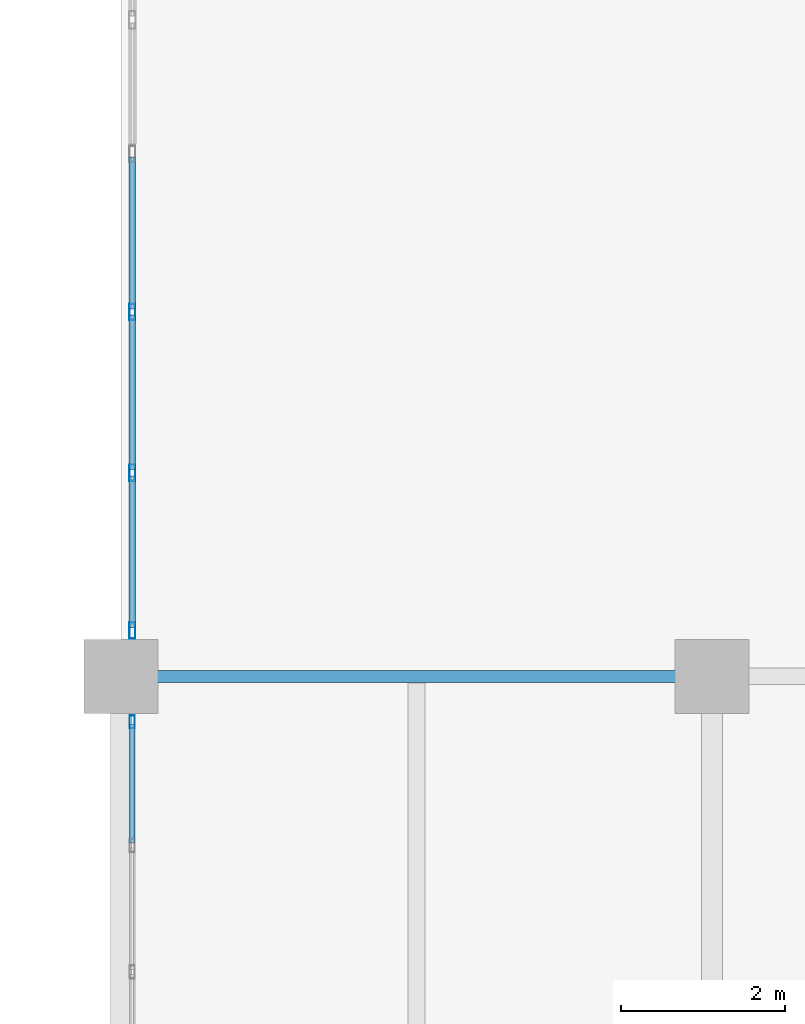
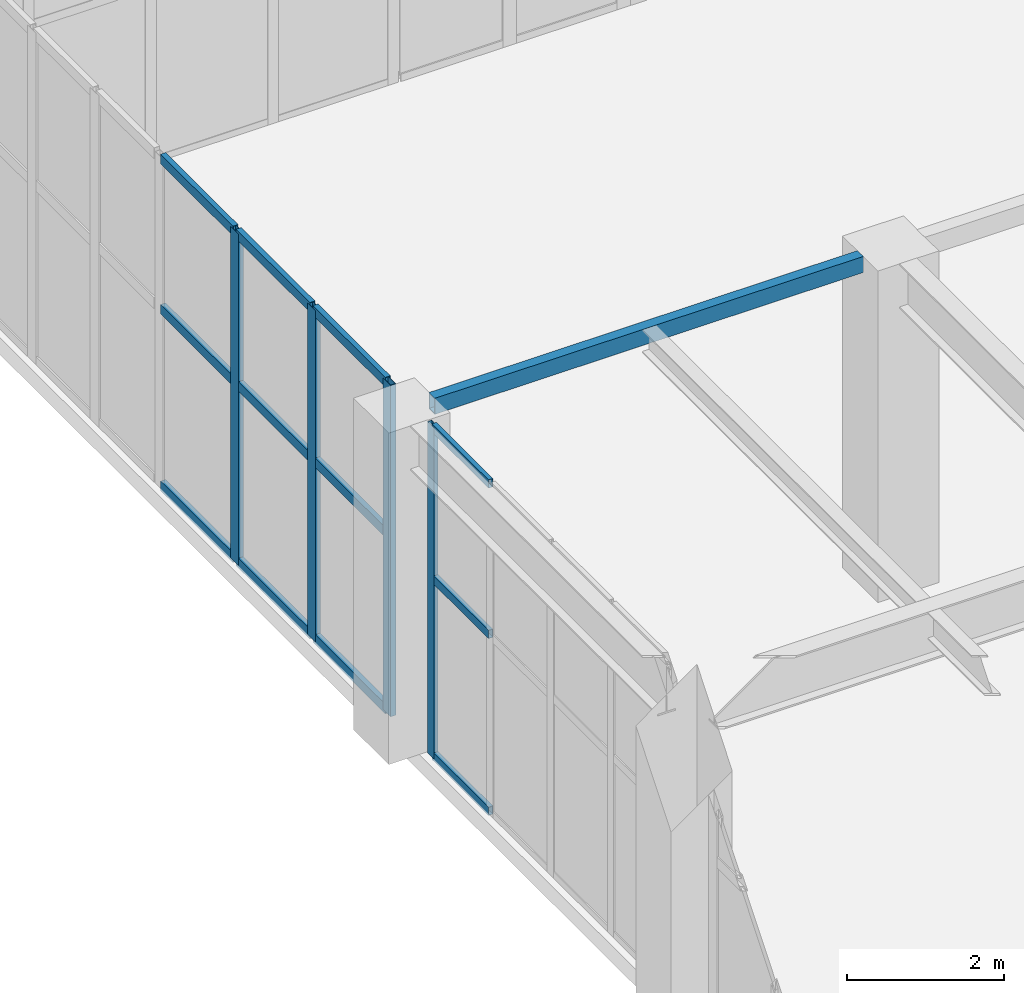
# One storey, part 60 of 139: 16 members, 1 beam, 2 elements without a shape of their own.
"""IFC4 building model written with IfcOpenShell, lengths in metres."""

from ifc_helpers import new_model, si_unit, direction, frame, origin, origin_2d, place, context, subcontext, project, spatial, hollow_rectangle, extrude, material, layer, layer_set, material_profile, profile_set, type_object, element, aggregate, save


model = new_model("IFC4")

# Units and contexts
model_context = context("Model", 3, precision=1e-05, world=origin(), true_north=direction((0.0, 1.0)))
body_context = subcontext(model_context, "Body", "Model", "MODEL_VIEW")
ifc_project = project(units=[si_unit("LENGTHUNIT", "METRE"), si_unit("AREAUNIT", "SQUARE_METRE"), si_unit("VOLUMEUNIT", "CUBIC_METRE"), si_unit("PLANEANGLEUNIT", "RADIAN"), si_unit("MASSUNIT", "GRAM", prefix="KILO")], contexts=[model_context])

# Site, building, storey
site_placement = place(None, origin())
site = spatial("IfcSite", under=ifc_project, at=site_placement, CompositionType="ELEMENT")
building_placement = place(site_placement, origin())
building = spatial("IfcBuilding", under=site, at=building_placement, Name="Xicomal Pleat Aquarium", CompositionType="ELEMENT")
storey_placement = place(building_placement, origin())
storey = spatial("IfcBuildingStorey", under=building, at=storey_placement, Name="L01", CompositionType="ELEMENT", Elevation=0.0)

# Beam
ifc_material_1 = material(Name="Structural steel A500 Gr C", Category="steel")
ifc_material_profile_1 = material_profile(ifc_material_1, hollow_rectangle(XDim=0.14990234375, YDim=0.25, WallThickness=0.010009765625, at=origin_2d()), Name="OR 250x150x10")
ifc_profile_set_1 = profile_set([ifc_material_profile_1], Name="Structural steel A500 Gr C")
beam_type = type_object("IfcBeamType", Name="BM-STL-OR250", PredefinedType="SPANDREL", material=ifc_profile_set_1)
beam_placement = place(storey_placement, frame((3.445068359375, 98.39990234375, 5.034912109375), z_axis=(1.0, 0.0, 0.0), x_axis=(0.0, 1.0, 0.0)))
element("IfcBeam", 1, at=beam_placement, inside=storey, type_object=beam_type, Name="L01 framing beam FGX-L01-01-02-P", PredefinedType="SPANDREL", context=body_context, shape_type="SweptSolid", body=[
    extrude(hollow_rectangle(XDim=0.14990234375, YDim=0.25, WallThickness=0.010009765625, at=origin_2d()), origin(), (0.0, 0.0, 1.0), 6.309814453125),
])

# Curtain wall, member
ifc_material_2 = material(Name="Bronze anodized aluminium 6063-T6", Category="aluminium")
ifc_layer_1 = layer(ifc_material_2, 0.159912109375)
ifc_layer_set_1 = layer_set([ifc_layer_1], Name="Bronze anodized aluminium 6063-T6")
curtain_wall_type_1 = type_object("IfcCurtainWallType", Name="CW-SYS-01", PredefinedType="NOTDEFINED", material=ifc_layer_set_1)
curtain_wall_1_placement = place(storey_placement, origin())
curtain_wall_1 = element("IfcCurtainWall", 2, at=curtain_wall_1_placement, inside=storey, type_object=curtain_wall_type_1, Name="L01 unitised curtain wall CW-L01-012", PredefinedType="NOTDEFINED")
ifc_material_3 = material(Name="Bronze anodized aluminium 6063-T6", Category="aluminium")
ifc_material_profile_2 = material_profile(ifc_material_3, hollow_rectangle(XDim=0.06494140625, YDim=0.159912109375, WallThickness=0.00390625, at=origin_2d()), Name="ALU MULL 65x160")
ifc_profile_set_2 = profile_set([ifc_material_profile_2], Name="Bronze anodized aluminium 6063-T6")
member_type_1 = type_object("IfcMemberType", Name="CWM-65x160", PredefinedType="MULLION", material=ifc_profile_set_2)
member_1_placement = place(storey_placement, frame((3.139892578125, 97.847412109375, 0.0), z_axis=(0.0, 0.0, 1.0), x_axis=(-1.0, 0.0, 0.0)))
member_1 = element("IfcMember", 3, at=member_1_placement, type_object=member_type_1, Name="CW-01 mullion 5", PredefinedType="MULLION", context=body_context, shape_type="SweptSolid", body=[
    extrude(hollow_rectangle(XDim=0.06494140625, YDim=0.159912109375, WallThickness=0.00390625, at=origin_2d()), origin(), (0.0, 0.0, 1.0), 5.159912109375),
])

# Curtain wall, members
ifc_material_4 = material(Name="Bronze anodized aluminium 6063-T6", Category="aluminium")
ifc_layer_2 = layer(ifc_material_4, 0.159912109375)
ifc_layer_set_2 = layer_set([ifc_layer_2], Name="Bronze anodized aluminium 6063-T6")
curtain_wall_type_2 = type_object("IfcCurtainWallType", Name="CW-SYS-06", PredefinedType="NOTDEFINED", material=ifc_layer_set_2)
curtain_wall_2_placement = place(storey_placement, origin())
curtain_wall_2 = element("IfcCurtainWall", 4, at=curtain_wall_2_placement, inside=storey, type_object=curtain_wall_type_2, Name="L01 unitised curtain wall CW-L01-013", PredefinedType="NOTDEFINED")
ifc_material_5 = material(Name="Bronze anodized aluminium 6063-T6", Category="aluminium")
ifc_material_profile_3 = material_profile(ifc_material_5, hollow_rectangle(XDim=0.074951171875, YDim=0.199951171875, WallThickness=0.00439453125, at=origin_2d()), Name="ALU MULL 75x200")
ifc_profile_set_3 = profile_set([ifc_material_profile_3], Name="Bronze anodized aluminium 6063-T6")
member_type_2 = type_object("IfcMemberType", Name="CWM-75x200", PredefinedType="MULLION", material=ifc_profile_set_3)
member_2_placement = place(storey_placement, frame((3.139892578125, 98.95751953125, 0.0), z_axis=(0.0, 0.0, 1.0), x_axis=(-1.0, 0.0, 0.0)))
member_2 = element("IfcMember", 5, at=member_2_placement, type_object=member_type_2, Name="CW-06 mullion 1", PredefinedType="MULLION", context=body_context, shape_type="SweptSolid", body=[
    extrude(hollow_rectangle(XDim=0.074951171875, YDim=0.199951171875, WallThickness=0.00439453125, at=origin_2d()), origin(), (0.0, 0.0, 1.0), 5.159912109375),
])
member_3_placement = place(storey_placement, frame((3.139892578125, 100.8798828125, 0.0), z_axis=(0.0, 0.0, 1.0), x_axis=(-1.0, 0.0, 0.0)))
member_3 = element("IfcMember", 6, at=member_3_placement, type_object=member_type_2, Name="CW-06 mullion 2", PredefinedType="MULLION", context=body_context, shape_type="SweptSolid", body=[
    extrude(hollow_rectangle(XDim=0.074951171875, YDim=0.199951171875, WallThickness=0.00439453125, at=origin_2d()), origin(), (0.0, 0.0, 1.0), 5.159912109375),
])
member_4_placement = place(storey_placement, frame((3.139892578125, 102.840087890625, 0.0), z_axis=(0.0, 0.0, 1.0), x_axis=(-1.0, 0.0, 0.0)))
member_4 = element("IfcMember", 7, at=member_4_placement, type_object=member_type_2, Name="CW-06 mullion 3", PredefinedType="MULLION", context=body_context, shape_type="SweptSolid", body=[
    extrude(hollow_rectangle(XDim=0.074951171875, YDim=0.199951171875, WallThickness=0.00439453125, at=origin_2d()), origin(), (0.0, 0.0, 1.0), 5.159912109375),
])

# Member
ifc_material_6 = material(Name="Bronze anodized aluminium 6063-T6", Category="aluminium")
ifc_material_profile_4 = material_profile(ifc_material_6, hollow_rectangle(XDim=0.06494140625, YDim=0.1298828125, WallThickness=0.00390625, at=origin_2d()), Name="ALU TRAN 65x130")
ifc_profile_set_4 = profile_set([ifc_material_profile_4], Name="Bronze anodized aluminium 6063-T6")
member_type_3 = type_object("IfcMemberType", Name="CWT-65x130", PredefinedType="USERDEFINED", material=ifc_profile_set_4)
member_5_placement = place(storey_placement, frame((3.139892578125, 96.37255859375, 0.032470703125), z_axis=(0.0, 1.0, 0.0), x_axis=(-1.0, 0.0, 0.0)))
member_5 = element("IfcMember", 8, at=member_5_placement, type_object=member_type_3, Name="CW-01 transom 4.1", ObjectType="TRANSOM", PredefinedType="USERDEFINED", context=body_context, shape_type="SweptSolid", body=[
    extrude(hollow_rectangle(XDim=0.06494140625, YDim=0.1298828125, WallThickness=0.00390625, at=origin_2d()), origin(), (0.0, 0.0, 1.0), 1.4423828125),
])

member_6_placement = place(storey_placement, frame((3.139892578125, 96.37255859375, 2.785888671875), z_axis=(0.0, 1.0, 0.0), x_axis=(-1.0, 0.0, 0.0)))
member_6 = element("IfcMember", 9, at=member_6_placement, type_object=member_type_3, Name="CW-01 transom 4.2", ObjectType="TRANSOM", PredefinedType="USERDEFINED", context=body_context, shape_type="SweptSolid", body=[
    extrude(hollow_rectangle(XDim=0.06494140625, YDim=0.1298828125, WallThickness=0.00390625, at=origin_2d()), origin(), (0.0, 0.0, 1.0), 1.4423828125),
])

member_7_placement = place(storey_placement, frame((3.139892578125, 96.37255859375, 5.12744140625), z_axis=(0.0, 1.0, 0.0), x_axis=(-1.0, 0.0, 0.0)))
member_7 = element("IfcMember", 10, at=member_7_placement, type_object=member_type_3, Name="CW-01 transom 4.3", ObjectType="TRANSOM", PredefinedType="USERDEFINED", context=body_context, shape_type="SweptSolid", body=[
    extrude(hollow_rectangle(XDim=0.06494140625, YDim=0.1298828125, WallThickness=0.00390625, at=origin_2d()), origin(), (0.0, 0.0, 1.0), 1.4423828125),
])

aggregate(curtain_wall_1, [member_1, member_5, member_6, member_7])

ifc_material_7 = material(Name="Bronze anodized aluminium 6063-T6", Category="aluminium")
ifc_material_profile_5 = material_profile(ifc_material_7, hollow_rectangle(XDim=0.074951171875, YDim=0.14990234375, WallThickness=0.00439453125, at=origin_2d()), Name="ALU TRAN 75x150")
ifc_profile_set_5 = profile_set([ifc_material_profile_5], Name="Bronze anodized aluminium 6063-T6")
member_type_4 = type_object("IfcMemberType", Name="CWT-75x150", PredefinedType="USERDEFINED", material=ifc_profile_set_5)
member_8_placement = place(storey_placement, frame((3.139892578125, 98.9951171875, 0.03759765625), z_axis=(0.0, 1.0, 0.0), x_axis=(-1.0, 0.0, 0.0)))
member_8 = element("IfcMember", 11, at=member_8_placement, type_object=member_type_4, Name="CW-06 transom 1.1", ObjectType="TRANSOM", PredefinedType="USERDEFINED", context=body_context, shape_type="SweptSolid", body=[
    extrude(hollow_rectangle(XDim=0.074951171875, YDim=0.14990234375, WallThickness=0.00439453125, at=origin_2d()), origin(), (0.0, 0.0, 1.0), 1.847412109375),
])

member_9_placement = place(storey_placement, frame((3.139892578125, 98.9951171875, 2.785888671875), z_axis=(0.0, 1.0, 0.0), x_axis=(-1.0, 0.0, 0.0)))
member_9 = element("IfcMember", 12, at=member_9_placement, type_object=member_type_4, Name="CW-06 transom 1.2", ObjectType="TRANSOM", PredefinedType="USERDEFINED", context=body_context, shape_type="SweptSolid", body=[
    extrude(hollow_rectangle(XDim=0.074951171875, YDim=0.14990234375, WallThickness=0.00439453125, at=origin_2d()), origin(), (0.0, 0.0, 1.0), 1.847412109375),
])

member_10_placement = place(storey_placement, frame((3.139892578125, 98.9951171875, 5.12255859375), z_axis=(0.0, 1.0, 0.0), x_axis=(-1.0, 0.0, 0.0)))
member_10 = element("IfcMember", 13, at=member_10_placement, type_object=member_type_4, Name="CW-06 transom 1.3", ObjectType="TRANSOM", PredefinedType="USERDEFINED", context=body_context, shape_type="SweptSolid", body=[
    extrude(hollow_rectangle(XDim=0.074951171875, YDim=0.14990234375, WallThickness=0.00439453125, at=origin_2d()), origin(), (0.0, 0.0, 1.0), 1.847412109375),
])

member_11_placement = place(storey_placement, frame((3.139892578125, 100.91748046875, 0.03759765625), z_axis=(0.0, 1.0, 0.0), x_axis=(-1.0, 0.0, 0.0)))
member_11 = element("IfcMember", 14, at=member_11_placement, type_object=member_type_4, Name="CW-06 transom 2.1", ObjectType="TRANSOM", PredefinedType="USERDEFINED", context=body_context, shape_type="SweptSolid", body=[
    extrude(hollow_rectangle(XDim=0.074951171875, YDim=0.14990234375, WallThickness=0.00439453125, at=origin_2d()), origin(), (0.0, 0.0, 1.0), 1.885009765625),
])

member_12_placement = place(storey_placement, frame((3.139892578125, 100.91748046875, 2.785888671875), z_axis=(0.0, 1.0, 0.0), x_axis=(-1.0, 0.0, 0.0)))
member_12 = element("IfcMember", 15, at=member_12_placement, type_object=member_type_4, Name="CW-06 transom 2.2", ObjectType="TRANSOM", PredefinedType="USERDEFINED", context=body_context, shape_type="SweptSolid", body=[
    extrude(hollow_rectangle(XDim=0.074951171875, YDim=0.14990234375, WallThickness=0.00439453125, at=origin_2d()), origin(), (0.0, 0.0, 1.0), 1.885009765625),
])

member_13_placement = place(storey_placement, frame((3.139892578125, 100.91748046875, 5.12255859375), z_axis=(0.0, 1.0, 0.0), x_axis=(-1.0, 0.0, 0.0)))
member_13 = element("IfcMember", 16, at=member_13_placement, type_object=member_type_4, Name="CW-06 transom 2.3", ObjectType="TRANSOM", PredefinedType="USERDEFINED", context=body_context, shape_type="SweptSolid", body=[
    extrude(hollow_rectangle(XDim=0.074951171875, YDim=0.14990234375, WallThickness=0.00439453125, at=origin_2d()), origin(), (0.0, 0.0, 1.0), 1.885009765625),
])

member_14_placement = place(storey_placement, frame((3.139892578125, 102.87744140625, 0.03759765625), z_axis=(0.0, 1.0, 0.0), x_axis=(-1.0, 0.0, 0.0)))
member_14 = element("IfcMember", 17, at=member_14_placement, type_object=member_type_4, Name="CW-06 transom 3.1", ObjectType="TRANSOM", PredefinedType="USERDEFINED", context=body_context, shape_type="SweptSolid", body=[
    extrude(hollow_rectangle(XDim=0.074951171875, YDim=0.14990234375, WallThickness=0.00439453125, at=origin_2d()), origin(), (0.0, 0.0, 1.0), 1.84765625),
])

member_15_placement = place(storey_placement, frame((3.139892578125, 102.87744140625, 2.785888671875), z_axis=(0.0, 1.0, 0.0), x_axis=(-1.0, 0.0, 0.0)))
member_15 = element("IfcMember", 18, at=member_15_placement, type_object=member_type_4, Name="CW-06 transom 3.2", ObjectType="TRANSOM", PredefinedType="USERDEFINED", context=body_context, shape_type="SweptSolid", body=[
    extrude(hollow_rectangle(XDim=0.074951171875, YDim=0.14990234375, WallThickness=0.00439453125, at=origin_2d()), origin(), (0.0, 0.0, 1.0), 1.84765625),
])

member_16_placement = place(storey_placement, frame((3.139892578125, 102.87744140625, 5.12255859375), z_axis=(0.0, 1.0, 0.0), x_axis=(-1.0, 0.0, 0.0)))
member_16 = element("IfcMember", 19, at=member_16_placement, type_object=member_type_4, Name="CW-06 transom 3.3", ObjectType="TRANSOM", PredefinedType="USERDEFINED", context=body_context, shape_type="SweptSolid", body=[
    extrude(hollow_rectangle(XDim=0.074951171875, YDim=0.14990234375, WallThickness=0.00439453125, at=origin_2d()), origin(), (0.0, 0.0, 1.0), 1.84765625),
])

aggregate(curtain_wall_2, [member_2, member_3, member_4, member_8, member_9, member_10, member_11, member_12, member_13, member_14, member_15, member_16])

save(model, "model.ifc")
